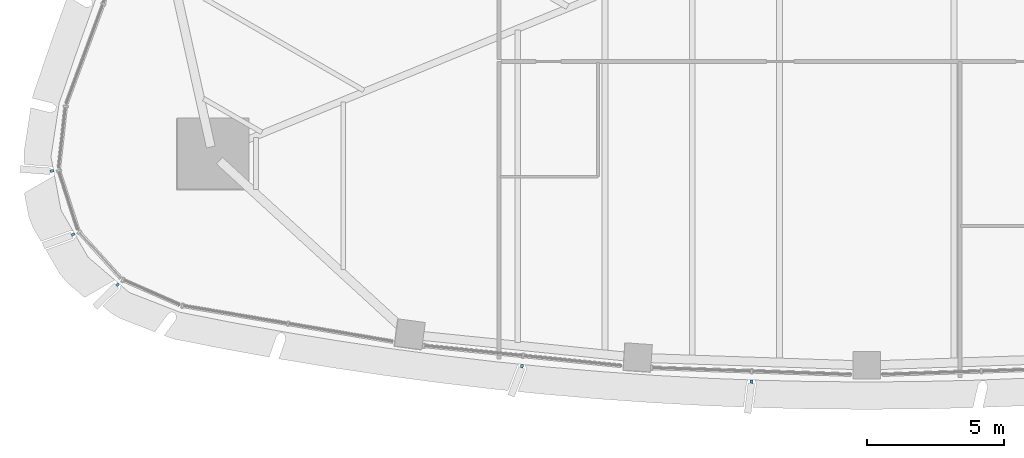
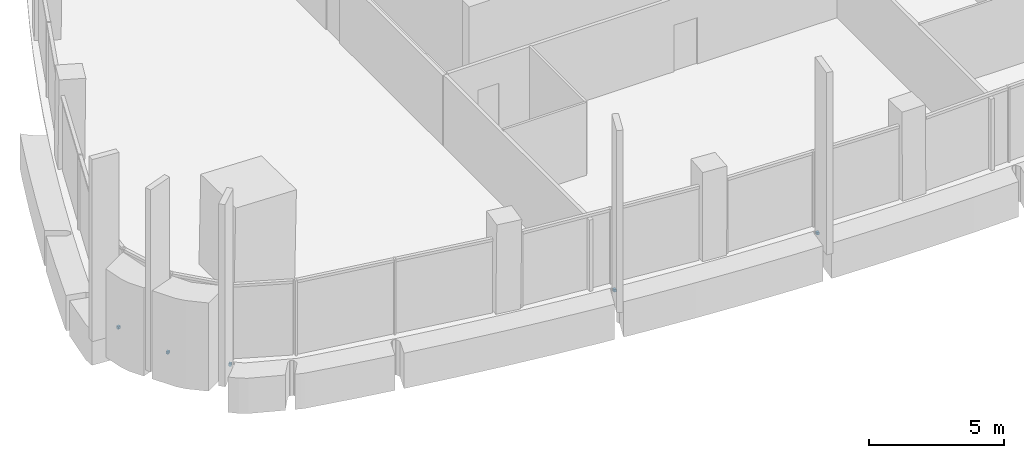
# One storey, part 13 of 17: 5 discrete accessories.
"""IFC4 building model written with IfcOpenShell, lengths in metres."""

from ifc_helpers import new_model, si_unit, direction, frame, origin, origin_2d, place, context, subcontext, project, spatial, rectangle, extrude, material, type_object, element, save


model = new_model("IFC4")

# Units and contexts
model_context = context("Model", 3, precision=1e-05, world=origin(), true_north=direction((0.0, 1.0)))
body_context = subcontext(model_context, "Body", "Model", "MODEL_VIEW")
ifc_project = project(units=[si_unit("LENGTHUNIT", "METRE"), si_unit("AREAUNIT", "SQUARE_METRE"), si_unit("VOLUMEUNIT", "CUBIC_METRE"), si_unit("PLANEANGLEUNIT", "RADIAN"), si_unit("MASSUNIT", "GRAM", prefix="KILO")], contexts=[model_context])

# Site, building, storey
site_placement = place(None, origin())
site = spatial("IfcSite", under=ifc_project, at=site_placement, CompositionType="ELEMENT")
building_placement = place(site_placement, origin())
building = spatial("IfcBuilding", under=site, at=building_placement, Name="Sierra Prisma Convention Tower", CompositionType="ELEMENT")
storey_placement = place(building_placement, frame((0.0, 0.0, 169.800048828125)))
storey = spatial("IfcBuildingStorey", under=building, at=storey_placement, Name="L37", CompositionType="ELEMENT", Elevation=169.800048828125)

# Discrete accessories
ifc_material = material(Name="Stainless steel 316", Category="steel")
discrete_accessory_type = type_object("IfcDiscreteAccessoryType", Name="Fin bracket", PredefinedType="BRACKET", material=ifc_material)
for number, where, z_axis, x_axis, name in (
    (1, (-12.56884765625, -21.50390625, -0.135009765625), (0.0, 0.0, 1.0), (-0.100989190223, -0.994887523019, 0.0), "Fin bracket L37.5 base"),
    (2, (-4.19921875, -22.070068359375, -0.135009765625), (0.0, 0.0, 1.0), (-0.038898508634, -0.999243166615, 0.0), "Fin bracket L37.8 base"),
    (3, (-29.708251953125, -14.389892578125, -0.135009765625), (0.0, 0.0, 1.0), (-0.982816649264, -0.184584489948, 0.0), "Fin bracket L37.61 base"),
    (4, (-28.93603515625, -16.7060546875, -0.135009765625), (0.0, 0.0, 1.0), (-0.866025403784, -0.5, 0.0), "Fin bracket L37.62 base"),
    (5, (-27.316162109375, -18.533203125, -0.135009765625), (0.0, 0.0, 1.0), (-0.651263182071, -0.758851940551, 0.0), "Fin bracket L37.63 base"),
):
    element("IfcDiscreteAccessory", number, at=place(storey_placement, frame(where, z_axis=z_axis, x_axis=x_axis)), inside=storey, type_object=discrete_accessory_type, Name=name, PredefinedType="BRACKET", context=body_context, shape_type="SweptSolid", body=[
        extrude(rectangle(XDim=0.1201171875, YDim=0.10009765625, at=origin_2d()), origin(), (0.0, 0.0, 1.0), 0.1201171875),
    ])

save(model, "model.ifc")
